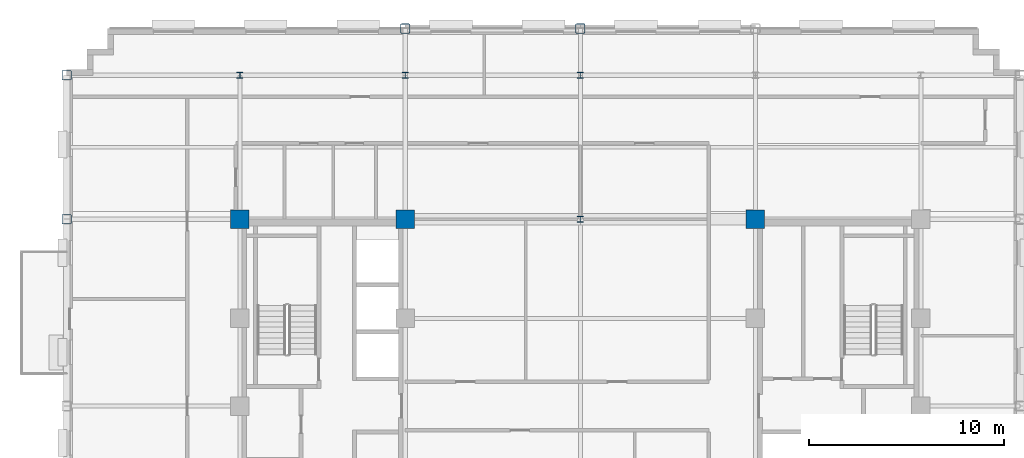
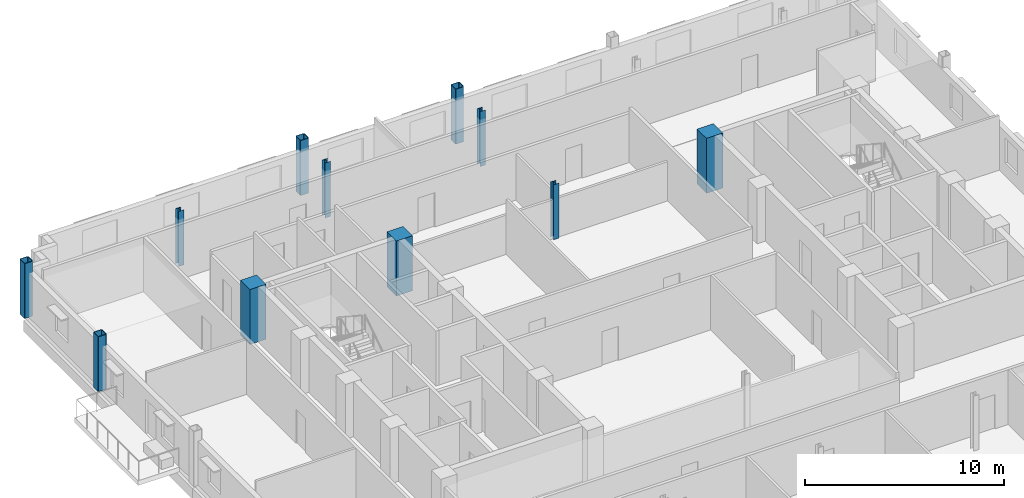
# One storey, part 3 of 15: 11 columns.
"""IFC4 building model written with IfcOpenShell, lengths in metres."""

from ifc_helpers import new_model, si_unit, direction, frame, origin, origin_2d, place, context, subcontext, project, spatial, rectangle, hollow_rectangle, i_section, extrude, material, material_profile, profile_set, type_object, element, save


model = new_model("IFC4")

# Units and contexts
model_context = context("Model", 3, precision=1e-05, world=origin(), true_north=direction((0.0, 1.0)))
body_context = subcontext(model_context, "Body", "Model", "MODEL_VIEW")
ifc_project = project(units=[si_unit("LENGTHUNIT", "METRE"), si_unit("AREAUNIT", "SQUARE_METRE"), si_unit("VOLUMEUNIT", "CUBIC_METRE"), si_unit("PLANEANGLEUNIT", "RADIAN"), si_unit("MASSUNIT", "GRAM", prefix="KILO")], contexts=[model_context])

# Site, building, storey
site_placement = place(None, origin())
site = spatial("IfcSite", under=ifc_project, at=site_placement, CompositionType="ELEMENT")
building_placement = place(site_placement, origin())
building = spatial("IfcBuilding", under=site, at=building_placement, Name="Nuvemarco Arch Tower", CompositionType="ELEMENT")
storey_placement = place(building_placement, frame((0.0, 0.0, 190.89990234375)))
storey = spatial("IfcBuildingStorey", under=building, at=storey_placement, Name="L50", CompositionType="ELEMENT", Elevation=190.89990234375)

# Columns
ifc_material_1 = material(Name="Concrete C50/60", Category="concrete")
ifc_material_profile_1 = material_profile(ifc_material_1, rectangle(XDim=0.949951171875, YDim=0.949951171875, at=origin_2d()), Name="RC-COL-950x950")
ifc_profile_set_1 = profile_set([ifc_material_profile_1], Name="Concrete C50/60")
column_type_1 = type_object("IfcColumnType", Name="COL-CORE-950", PredefinedType="COLUMN", material=ifc_profile_set_1)
for number, where, z_axis, x_axis, name in (
    (1, (-17.5, 9.60009765625, 0.0), (0.0, 0.0, 1.0), (1.0, 0.0, 0.0), "L50 column CC_-17.5_+9.6"),
    (2, (-9.0, 9.60009765625, 0.0), (0.0, 0.0, 1.0), (1.0, 0.0, 0.0), "L50 column CC_-9.0_+9.6"),
    (3, (9.0, 9.60009765625, 0.0), (0.0, 0.0, 1.0), (1.0, 0.0, 0.0), "L50 column CC_+9.0_+9.6"),
):
    element("IfcColumn", number, at=place(storey_placement, frame(where, z_axis=z_axis, x_axis=x_axis)), inside=storey, type_object=column_type_1, Name=name, PredefinedType="COLUMN", context=body_context, shape_type="SweptSolid", body=[
        extrude(rectangle(XDim=0.949951171875, YDim=0.949951171875, at=origin_2d()), origin(), (0.0, 0.0, 1.0), 3.3701171875),
    ])
ifc_material_2 = material(Name="Steel S355", Category="steel")
ifc_material_profile_2 = material_profile(ifc_material_2, hollow_rectangle(XDim=0.5, YDim=0.5, WallThickness=0.031982421875, InnerFilletRadius=0.031982421875, OuterFilletRadius=0.06396484375, at=origin_2d()), Name="SHS500x500x32")
ifc_profile_set_2 = profile_set([ifc_material_profile_2], Name="Steel S355")
column_type_2 = type_object("IfcColumnType", Name="COL-EXO-500", PredefinedType="COLUMN", material=ifc_profile_set_2)
for number, where, z_axis, x_axis, name in (
    (4, (-26.39990234375, 9.60009765625, 0.0), (0.0, 0.0, 1.0), (1.0, 0.0, 0.0), "L50 column CX_-26.4_+9.6"),
    (5, (-26.39990234375, 17.0, 0.0), (0.0, 0.0, 1.0), (1.0, 0.0, 0.0), "L50 column CX_-26.4_+17.0"),
    (6, (-9.0, 19.39990234375, 0.0), (0.0, 0.0, 1.0), (1.0, 0.0, 0.0), "L50 column CY_-9.0_+19.4"),
    (7, (0.0, 19.39990234375, 0.0), (0.0, 0.0, 1.0), (1.0, 0.0, 0.0), "L50 column CY_+0.0_+19.4"),
):
    element("IfcColumn", number, at=place(storey_placement, frame(where, z_axis=z_axis, x_axis=x_axis)), inside=storey, type_object=column_type_2, Name=name, PredefinedType="COLUMN", context=body_context, shape_type="SweptSolid", body=[
        extrude(hollow_rectangle(XDim=0.5, YDim=0.5, WallThickness=0.031982421875, InnerFilletRadius=0.031982421875, OuterFilletRadius=0.06396484375, at=origin_2d()), origin(), (0.0, 0.0, 1.0), 3.3701171875),
    ])
ifc_material_profile_3 = material_profile(ifc_material_2, i_section(OverallWidth=0.31005859375, OverallDepth=0.31005859375, WebThickness=0.015380859375, FlangeThickness=0.015380859375, FilletRadius=0.014892578125, at=origin_2d()), Name="HP310x110")
ifc_profile_set_3 = profile_set([ifc_material_profile_3], Name="Steel S355")
column_type_3 = type_object("IfcColumnType", Name="COL-STL-HP310", PredefinedType="COLUMN", material=ifc_profile_set_3)
for number, where, z_axis, x_axis, name in (
    (8, (0.0, 9.60009765625, 0.0), (0.0, 0.0, 1.0), (1.0, 0.0, 0.0), "L50 column CI_+0.0_+9.6"),
    (9, (0.0, 17.0, 0.0), (0.0, 0.0, 1.0), (1.0, 0.0, 0.0), "L50 column CI_+0.0_+17.0"),
    (10, (-17.5, 17.0, 0.0), (0.0, 0.0, 1.0), (1.0, 0.0, 0.0), "L50 column CI_-17.5_+17.0"),
    (11, (-9.0, 17.0, 0.0), (0.0, 0.0, 1.0), (1.0, 0.0, 0.0), "L50 column CI_-9.0_+17.0"),
):
    element("IfcColumn", number, at=place(storey_placement, frame(where, z_axis=z_axis, x_axis=x_axis)), inside=storey, type_object=column_type_3, Name=name, PredefinedType="COLUMN", context=body_context, shape_type="SweptSolid", body=[
        extrude(i_section(OverallWidth=0.31005859375, OverallDepth=0.31005859375, WebThickness=0.015380859375, FlangeThickness=0.015380859375, FilletRadius=0.014892578125, at=origin_2d()), origin(), (0.0, 0.0, 1.0), 3.3701171875),
    ])

save(model, "model.ifc")
